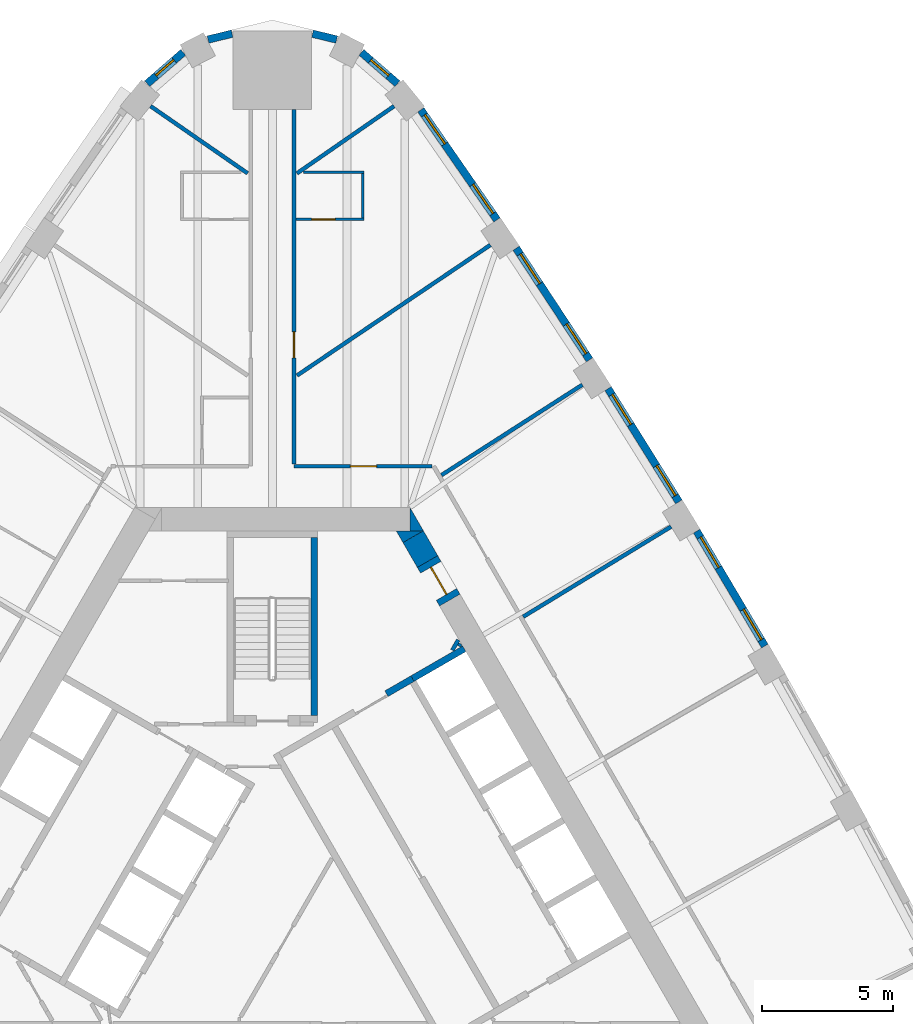
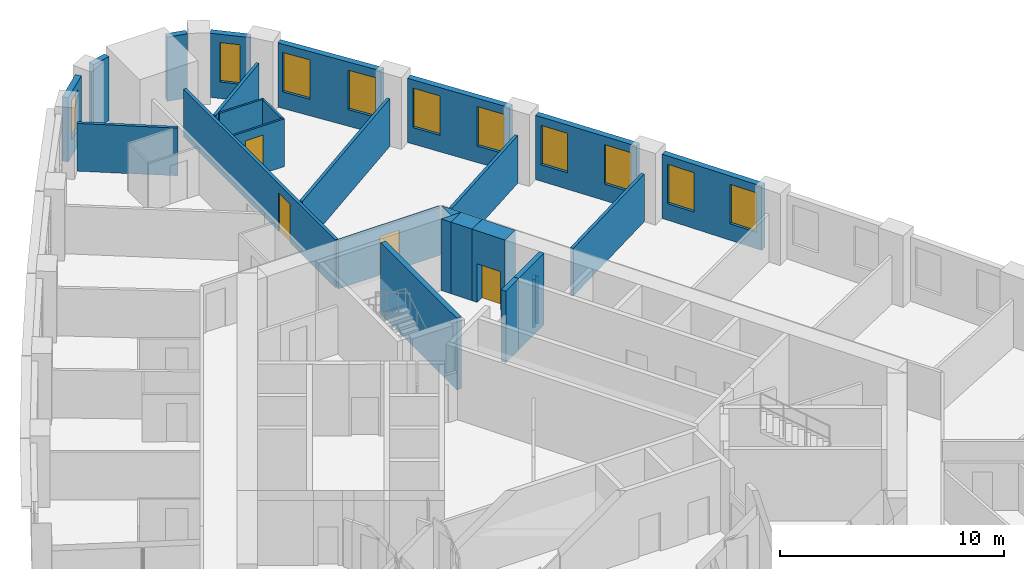
# One storey, part 10 of 12: 27 walls, 10 windows, 4 doors, 14 openings.
"""IFC4 building model written with IfcOpenShell, lengths in metres."""

from ifc_helpers import new_model, si_unit, direction, frame, frame_2d, origin, place, context, subcontext, project, spatial, polyline, rectangle, outline, extrude, material, layer, layer_set, type_object, element, fill, save


model = new_model("IFC4")

# Units and contexts
model_context = context("Model", 3, precision=1e-05, world=origin(), true_north=direction((0.0, 1.0)))
body_context = subcontext(model_context, "Body", "Model", "MODEL_VIEW")
ifc_project = project(units=[si_unit("LENGTHUNIT", "METRE"), si_unit("AREAUNIT", "SQUARE_METRE"), si_unit("VOLUMEUNIT", "CUBIC_METRE"), si_unit("PLANEANGLEUNIT", "RADIAN"), si_unit("MASSUNIT", "GRAM", prefix="KILO")], contexts=[model_context])

# Site, building, storey
site_placement = place(None, origin())
site = spatial("IfcSite", under=ifc_project, at=site_placement, CompositionType="ELEMENT")
building_placement = place(site_placement, origin())
building = spatial("IfcBuilding", under=site, at=building_placement, Name="Mestral Congress Tower", CompositionType="ELEMENT")
storey_placement = place(building_placement, frame((0.0, 0.0, 130.5)))
storey = spatial("IfcBuildingStorey", under=building, at=storey_placement, Name="L31", CompositionType="ELEMENT", Elevation=130.5)

# Walls
ifc_material_1 = material(Name="Fire-rated board partition")
ifc_layer_1 = layer(ifc_material_1, 0.14990234375)
ifc_layer_set_1 = layer_set([ifc_layer_1], Name="Fire-rated board partition")
wall_type_1 = type_object("IfcWallType", Name="Core partition 150", PredefinedType="PARTITIONING", material=ifc_layer_set_1)
wall_1_placement = place(storey_placement, frame((6.87158203125, 11.44970703125, 0.0), z_axis=(0.0, 0.0, 1.0), x_axis=(0.499846793097, 0.866113839764, 0.0)))
element("IfcWall", 1, at=wall_1_placement, inside=storey, type_object=wall_type_1, Name="L31 core wall", PredefinedType="PARTITIONING", context=body_context, shape_type="SweptSolid", body=[
    extrude(rectangle(XDim=0.453369140625, YDim=0.14990234375, at=frame_2d((0.2265625, 0.0))), origin(), (0.0, 0.0, 1.0), 2.60009765625),
])
wall_2_placement = place(storey_placement, frame((7.13134765625, 11.599609375, 0.0), z_axis=(0.0, 0.0, 1.0), x_axis=(0.498600033135, 0.866832167699, 0.0)))
element("IfcWall", 2, at=wall_2_placement, inside=storey, type_object=wall_type_1, Name="L31 core wall", PredefinedType="PARTITIONING", context=body_context, shape_type="SweptSolid", body=[
    extrude(rectangle(XDim=0.106689453125, YDim=0.14990234375, at=frame_2d((0.05322265625, 0.0))), origin(), (0.0, 0.0, 1.0), 2.60009765625),
])
ifc_material_2 = material(Name="Concrete C60/75", Category="concrete")
ifc_layer_2 = layer(ifc_material_2, 0.89990234375)
ifc_layer_set_2 = layer_set([ifc_layer_2], Name="Concrete C60/75")
wall_type_2 = type_object("IfcWallType", Name="Core wall RC 900", PredefinedType="SOLIDWALL", material=ifc_layer_set_2)
placement = place(storey_placement, origin())
element("IfcWall", 3, at=placement, inside=storey, type_object=wall_type_2, Name="L31 core wall", PredefinedType="SOLIDWALL", context=body_context, shape_type="SweptSolid", body=[
    extrude(outline(polyline([(5.265380859375, 16.0), (5.265380859375, 16.8798828125), (5.7734375, 16.0), (5.265380859375, 16.0)])), origin(), (0.0, 0.0, 1.0), 3.89990234375),
])
wall_4_placement = place(storey_placement, frame((5.92578125, 14.836181640625, 0.0), z_axis=(0.0, 0.0, 1.0), x_axis=(-0.500076735116, 0.865981096212, 0.0)))
element("IfcWall", 4, at=wall_4_placement, inside=storey, type_object=wall_type_2, Name="L31 core wall", PredefinedType="SOLIDWALL", context=body_context, shape_type="SweptSolid", body=[
    extrude(rectangle(XDim=1.093505859375, YDim=0.89990234375, at=frame_2d((0.546875, 0.0))), origin(), (0.0, 0.0, 1.0), 3.89990234375),
])
element("IfcWall", 5, at=placement, inside=storey, type_object=wall_type_2, Name="L31 core wall", PredefinedType="SOLIDWALL", context=body_context, shape_type="SweptSolid", body=[
    extrude(outline(polyline([(4.734375, 16.0), (5.750244140625, 16.0), (4.98828125, 15.56005859375), (4.734375, 16.0)])), origin(), (0.0, 0.0, 1.0), 3.89990234375),
])

# Wall, opening, door
wall_6_placement = place(storey_placement, frame((5.92578125, 14.836181640625, 0.0), z_axis=(0.0, 0.0, 1.0), x_axis=(0.500062241894, -0.865989465428, 0.0)))
wall_6 = element("IfcWall", 6, at=wall_6_placement, inside=storey, type_object=wall_type_2, Name="L31 door wall", PredefinedType="SOLIDWALL", context=body_context, shape_type="SweptSolid", body=[
    extrude(rectangle(XDim=1.699951171875, YDim=0.89990234375, at=frame_2d((0.85009765625, 0.0))), origin(), (0.0, 0.0, 1.0), 3.89990234375),
])
opening_1_placement = place(wall_6_placement, frame((0.25, 0.0, 0.0)))
opening_1 = element("IfcOpeningElement", 7, at=opening_1_placement, cuts=wall_6, Name="Opening XD2", PredefinedType="OPENING", context=body_context, shape_type="SweptSolid", body=[
    extrude(rectangle(XDim=1.199951171875, YDim=2.10009765625, at=frame_2d((0.60009765625, 1.050048828125))), frame((0.0, 0.4599609375, 0.0), z_axis=(0.0, -1.0, 0.0), x_axis=(1.0, 0.0, 0.0)), (0.0, 0.0, 1.0), 0.919921875),
])
ifc_material_3 = material(Name="Fire-rated steel door set", Category="steel")
door_type_1 = type_object("IfcDoorType", Name="Core door XD 1200x2100", OperationType="SINGLE_SWING_LEFT", PredefinedType="DOOR", material=ifc_material_3)
door_1_placement = place(opening_1_placement, origin())
door_1 = element("IfcDoor", 8, at=door_1_placement, inside=storey, type_object=door_type_1, Name="Door XD2", OperationType="SINGLE_SWING_LEFT", OverallHeight=2.10009765625, OverallWidth=1.199951171875, PredefinedType="DOOR", context=body_context, shape_type="SweptSolid", body=[
    extrude(rectangle(XDim=1.199951171875, YDim=2.10009765625, at=frame_2d((0.60009765625, 1.050048828125))), frame((0.0, 0.02490234375, 0.0), z_axis=(0.0, -1.0, 0.0), x_axis=(1.0, 0.0, 0.0)), (0.0, 0.0, 1.0), 0.050048828125),
])
fill(opening_1, door_1)

# Wall, openings, windows
ifc_material_4 = material(Name="Precast concrete C40/50 with limestone facing", Category="masonry")
ifc_layer_3 = layer(ifc_material_4, 0.2900390625)
ifc_layer_set_3 = layer_set([ifc_layer_3], Name="Precast concrete C40/50 with limestone facing")
wall_type_3 = type_object("IfcWallType", Name="Facade stone wall 290", PredefinedType="SOLIDWALL", material=ifc_layer_set_3)
wall_7_placement = place(storey_placement, frame((18.8046875, 11.611083984375, 0.0), z_axis=(0.0, 0.0, 1.0), x_axis=(-0.510054281659, 0.860142214847, 0.0)))
wall_7 = element("IfcWall", 9, at=wall_7_placement, inside=storey, type_object=wall_type_3, Name="Facade wall F1-04", PredefinedType="SOLIDWALL", context=body_context, shape_type="SweptSolid", body=[
    extrude(rectangle(XDim=5.1005859375, YDim=0.2900390625, at=frame_2d((2.55029296875, 0.0))), origin(), (0.0, 0.0, 1.0), 3.5),
])
opening_2_placement = place(wall_7_placement, frame((0.272705078125, 0.0, 0.89990234375)))
opening_2 = element("IfcOpeningElement", 10, at=opening_2_placement, cuts=wall_7, Name="Opening W2", PredefinedType="OPENING", context=body_context, shape_type="SweptSolid", body=[
    extrude(rectangle(XDim=1.35009765625, YDim=2.14990234375, at=frame_2d((0.675048828125, 1.074951171875))), frame((0.0, 0.155029296875, 0.0), z_axis=(0.0, -1.0, 0.0), x_axis=(1.0, 0.0, 0.0)), (0.0, 0.0, 1.0), 0.31005859375),
])
opening_3_placement = place(wall_7_placement, frame((3.477783203125, 0.0, 0.89990234375)))
opening_3 = element("IfcOpeningElement", 11, at=opening_3_placement, cuts=wall_7, Name="Opening W2", PredefinedType="OPENING", context=body_context, shape_type="SweptSolid", body=[
    extrude(rectangle(XDim=1.35009765625, YDim=2.14990234375, at=frame_2d((0.675048828125, 1.074951171875))), frame((0.0, 0.155029296875, 0.0), z_axis=(0.0, -1.0, 0.0), x_axis=(1.0, 0.0, 0.0)), (0.0, 0.0, 1.0), 0.31005859375),
])
ifc_material_5 = material(Name="Clear low-emissivity double glazing", Category="glass")
window_type_1 = type_object("IfcWindowType", Name="Facade punched window 1350 x 2150 sill 900", PartitioningType="DOUBLE_PANEL_VERTICAL", PredefinedType="WINDOW", material=ifc_material_5)
window_1_placement = place(opening_2_placement, origin())
window_1 = element("IfcWindow", 12, at=window_1_placement, inside=storey, type_object=window_type_1, Name="Window F1-04a", OverallHeight=2.14990234375, OverallWidth=1.35009765625, PartitioningType="DOUBLE_PANEL_VERTICAL", PredefinedType="WINDOW", context=body_context, shape_type="SweptSolid", body=[
    extrude(rectangle(XDim=1.35009765625, YDim=2.14990234375, at=frame_2d((0.675048828125, 1.074951171875))), frame((0.0, 0.01513671875, 0.0), z_axis=(0.0, -1.0, 0.0), x_axis=(1.0, 0.0, 0.0)), (0.0, 0.0, 1.0), 0.06005859375),
])
fill(opening_2, window_1)
window_2_placement = place(opening_3_placement, origin())
window_2 = element("IfcWindow", 13, at=window_2_placement, inside=storey, type_object=window_type_1, Name="Window F1-04b", OverallHeight=2.14990234375, OverallWidth=1.35009765625, PartitioningType="DOUBLE_PANEL_VERTICAL", PredefinedType="WINDOW", context=body_context, shape_type="SweptSolid", body=[
    extrude(rectangle(XDim=1.35009765625, YDim=2.14990234375, at=frame_2d((0.675048828125, 1.074951171875))), frame((0.0, 0.01513671875, 0.0), z_axis=(0.0, -1.0, 0.0), x_axis=(1.0, 0.0, 0.0)), (0.0, 0.0, 1.0), 0.06005859375),
])
fill(opening_3, window_2)

wall_8_placement = place(storey_placement, frame((15.523681640625, 17.114013671875, 0.0), z_axis=(0.0, 0.0, 1.0), x_axis=(-0.530072082134, 0.847952585787, 0.0)))
wall_8 = element("IfcWall", 14, at=wall_8_placement, inside=storey, type_object=wall_type_3, Name="Facade wall F1-05", PredefinedType="SOLIDWALL", context=body_context, shape_type="SweptSolid", body=[
    extrude(rectangle(XDim=5.100341796875, YDim=0.2900390625, at=frame_2d((2.55029296875, 0.0))), origin(), (0.0, 0.0, 1.0), 3.5),
])
opening_4_placement = place(wall_8_placement, frame((0.272705078125, 0.0, 0.89990234375)))
opening_4 = element("IfcOpeningElement", 15, at=opening_4_placement, cuts=wall_8, Name="Opening W2", PredefinedType="OPENING", context=body_context, shape_type="SweptSolid", body=[
    extrude(rectangle(XDim=1.35009765625, YDim=2.14990234375, at=frame_2d((0.675048828125, 1.074951171875))), frame((0.0, 0.155029296875, 0.0), z_axis=(0.0, -1.0, 0.0), x_axis=(1.0, 0.0, 0.0)), (0.0, 0.0, 1.0), 0.31005859375),
])
opening_5_placement = place(wall_8_placement, frame((3.477783203125, 0.0, 0.89990234375)))
opening_5 = element("IfcOpeningElement", 16, at=opening_5_placement, cuts=wall_8, Name="Opening W2", PredefinedType="OPENING", context=body_context, shape_type="SweptSolid", body=[
    extrude(rectangle(XDim=1.35009765625, YDim=2.14990234375, at=frame_2d((0.675048828125, 1.074951171875))), frame((0.0, 0.155029296875, 0.0), z_axis=(0.0, -1.0, 0.0), x_axis=(1.0, 0.0, 0.0)), (0.0, 0.0, 1.0), 0.31005859375),
])
window_3_placement = place(opening_4_placement, origin())
window_3 = element("IfcWindow", 17, at=window_3_placement, inside=storey, type_object=window_type_1, Name="Window F1-05a", OverallHeight=2.14990234375, OverallWidth=1.35009765625, PartitioningType="DOUBLE_PANEL_VERTICAL", PredefinedType="WINDOW", context=body_context, shape_type="SweptSolid", body=[
    extrude(rectangle(XDim=1.35009765625, YDim=2.14990234375, at=frame_2d((0.675048828125, 1.074951171875))), frame((0.0, 0.01513671875, 0.0), z_axis=(0.0, -1.0, 0.0), x_axis=(1.0, 0.0, 0.0)), (0.0, 0.0, 1.0), 0.06005859375),
])
fill(opening_4, window_3)
window_4_placement = place(opening_5_placement, origin())
window_4 = element("IfcWindow", 18, at=window_4_placement, inside=storey, type_object=window_type_1, Name="Window F1-05b", OverallHeight=2.14990234375, OverallWidth=1.35009765625, PartitioningType="DOUBLE_PANEL_VERTICAL", PredefinedType="WINDOW", context=body_context, shape_type="SweptSolid", body=[
    extrude(rectangle(XDim=1.35009765625, YDim=2.14990234375, at=frame_2d((0.675048828125, 1.074951171875))), frame((0.0, 0.01513671875, 0.0), z_axis=(0.0, -1.0, 0.0), x_axis=(1.0, 0.0, 0.0)), (0.0, 0.0, 1.0), 0.06005859375),
])
fill(opening_5, window_4)

wall_9_placement = place(storey_placement, frame((12.114501953125, 22.538818359375, 0.0), z_axis=(0.0, 0.0, 1.0), x_axis=(-0.549741341923, 0.835334937005, 0.0)))
wall_9 = element("IfcWall", 19, at=wall_9_placement, inside=storey, type_object=wall_type_3, Name="Facade wall F1-06", PredefinedType="SOLIDWALL", context=body_context, shape_type="SweptSolid", body=[
    extrude(rectangle(XDim=5.10009765625, YDim=0.2900390625, at=frame_2d((2.550048828125, 0.0))), origin(), (0.0, 0.0, 1.0), 3.5),
])
opening_6_placement = place(wall_9_placement, frame((0.272705078125, 0.0, 0.89990234375)))
opening_6 = element("IfcOpeningElement", 20, at=opening_6_placement, cuts=wall_9, Name="Opening W2", PredefinedType="OPENING", context=body_context, shape_type="SweptSolid", body=[
    extrude(rectangle(XDim=1.35009765625, YDim=2.14990234375, at=frame_2d((0.675048828125, 1.074951171875))), frame((0.0, 0.155029296875, 0.0), z_axis=(0.0, -1.0, 0.0), x_axis=(1.0, 0.0, 0.0)), (0.0, 0.0, 1.0), 0.31005859375),
])
opening_7_placement = place(wall_9_placement, frame((3.477783203125, 0.0, 0.89990234375)))
opening_7 = element("IfcOpeningElement", 21, at=opening_7_placement, cuts=wall_9, Name="Opening W2", PredefinedType="OPENING", context=body_context, shape_type="SweptSolid", body=[
    extrude(rectangle(XDim=1.35009765625, YDim=2.14990234375, at=frame_2d((0.675048828125, 1.074951171875))), frame((0.0, 0.155029296875, 0.0), z_axis=(0.0, -1.0, 0.0), x_axis=(1.0, 0.0, 0.0)), (0.0, 0.0, 1.0), 0.31005859375),
])
window_5_placement = place(opening_6_placement, origin())
window_5 = element("IfcWindow", 22, at=window_5_placement, inside=storey, type_object=window_type_1, Name="Window F1-06a", OverallHeight=2.14990234375, OverallWidth=1.35009765625, PartitioningType="DOUBLE_PANEL_VERTICAL", PredefinedType="WINDOW", context=body_context, shape_type="SweptSolid", body=[
    extrude(rectangle(XDim=1.35009765625, YDim=2.14990234375, at=frame_2d((0.675048828125, 1.074951171875))), frame((0.0, 0.01513671875, 0.0), z_axis=(0.0, -1.0, 0.0), x_axis=(1.0, 0.0, 0.0)), (0.0, 0.0, 1.0), 0.06005859375),
])
fill(opening_6, window_5)
window_6_placement = place(opening_7_placement, origin())
window_6 = element("IfcWindow", 23, at=window_6_placement, inside=storey, type_object=window_type_1, Name="Window F1-06b", OverallHeight=2.14990234375, OverallWidth=1.35009765625, PartitioningType="DOUBLE_PANEL_VERTICAL", PredefinedType="WINDOW", context=body_context, shape_type="SweptSolid", body=[
    extrude(rectangle(XDim=1.35009765625, YDim=2.14990234375, at=frame_2d((0.675048828125, 1.074951171875))), frame((0.0, 0.01513671875, 0.0), z_axis=(0.0, -1.0, 0.0), x_axis=(1.0, 0.0, 0.0)), (0.0, 0.0, 1.0), 0.06005859375),
])
fill(opening_7, window_6)

wall_10_placement = place(storey_placement, frame((8.57958984375, 27.882080078125, 0.0), z_axis=(0.0, 0.0, 1.0), x_axis=(-0.569113019126, 0.822259309136, 0.0)))
wall_10 = element("IfcWall", 24, at=wall_10_placement, inside=storey, type_object=wall_type_3, Name="Facade wall F1-07", PredefinedType="SOLIDWALL", context=body_context, shape_type="SweptSolid", body=[
    extrude(rectangle(XDim=5.106689453125, YDim=0.2900390625, at=frame_2d((2.55322265625, 0.0))), origin(), (0.0, 0.0, 1.0), 3.5),
])
opening_8_placement = place(wall_10_placement, frame((0.285400390625, 0.0, 0.89990234375)))
opening_8 = element("IfcOpeningElement", 25, at=opening_8_placement, cuts=wall_10, Name="Opening W2", PredefinedType="OPENING", context=body_context, shape_type="SweptSolid", body=[
    extrude(rectangle(XDim=1.35009765625, YDim=2.14990234375, at=frame_2d((0.675048828125, 1.074951171875))), frame((0.0, 0.155029296875, 0.0), z_axis=(0.0, -1.0, 0.0), x_axis=(1.0, 0.0, 0.0)), (0.0, 0.0, 1.0), 0.31005859375),
])
opening_9_placement = place(wall_10_placement, frame((3.516357421875, 0.0, 0.89990234375)))
opening_9 = element("IfcOpeningElement", 26, at=opening_9_placement, cuts=wall_10, Name="Opening W2", PredefinedType="OPENING", context=body_context, shape_type="SweptSolid", body=[
    extrude(rectangle(XDim=1.35009765625, YDim=2.14990234375, at=frame_2d((0.675048828125, 1.074951171875))), frame((0.0, 0.155029296875, 0.0), z_axis=(0.0, -1.0, 0.0), x_axis=(1.0, 0.0, 0.0)), (0.0, 0.0, 1.0), 0.31005859375),
])
window_7_placement = place(opening_8_placement, origin())
window_7 = element("IfcWindow", 27, at=window_7_placement, inside=storey, type_object=window_type_1, Name="Window F1-07a", OverallHeight=2.14990234375, OverallWidth=1.35009765625, PartitioningType="DOUBLE_PANEL_VERTICAL", PredefinedType="WINDOW", context=body_context, shape_type="SweptSolid", body=[
    extrude(rectangle(XDim=1.35009765625, YDim=2.14990234375, at=frame_2d((0.675048828125, 1.074951171875))), frame((0.0, 0.01513671875, 0.0), z_axis=(0.0, -1.0, 0.0), x_axis=(1.0, 0.0, 0.0)), (0.0, 0.0, 1.0), 0.06005859375),
])
fill(opening_8, window_7)
window_8_placement = place(opening_9_placement, origin())
window_8 = element("IfcWindow", 28, at=window_8_placement, inside=storey, type_object=window_type_1, Name="Window F1-07b", OverallHeight=2.14990234375, OverallWidth=1.35009765625, PartitioningType="DOUBLE_PANEL_VERTICAL", PredefinedType="WINDOW", context=body_context, shape_type="SweptSolid", body=[
    extrude(rectangle(XDim=1.35009765625, YDim=2.14990234375, at=frame_2d((0.675048828125, 1.074951171875))), frame((0.0, 0.01513671875, 0.0), z_axis=(0.0, -1.0, 0.0), x_axis=(1.0, 0.0, 0.0)), (0.0, 0.0, 1.0), 0.06005859375),
])
fill(opening_9, window_8)

# Wall, opening, window
wall_11_placement = place(storey_placement, frame((4.778076171875, 33.08203125, 0.0), z_axis=(0.0, 0.0, 1.0), x_axis=(-0.754882764627, 0.655859749999, 0.0)))
wall_11 = element("IfcWall", 29, at=wall_11_placement, inside=storey, type_object=wall_type_3, Name="Facade wall K1-0", PredefinedType="SOLIDWALL", context=body_context, shape_type="SweptSolid", body=[
    extrude(rectangle(XDim=1.819580078125, YDim=0.2900390625, at=frame_2d((0.90966796875, 0.0))), origin(), (0.0, 0.0, 1.0), 3.5),
])
opening_10_placement = place(wall_11_placement, frame((0.459716796875, 0.0, 0.89990234375)))
opening_10 = element("IfcOpeningElement", 30, at=opening_10_placement, cuts=wall_11, Name="Opening W3", PredefinedType="OPENING", context=body_context, shape_type="SweptSolid", body=[
    extrude(rectangle(XDim=0.89990234375, YDim=2.14990234375, at=frame_2d((0.449951171875, 1.074951171875))), frame((0.0, 0.155029296875, 0.0), z_axis=(0.0, -1.0, 0.0), x_axis=(1.0, 0.0, 0.0)), (0.0, 0.0, 1.0), 0.31005859375),
])
window_type_2 = type_object("IfcWindowType", Name="Facade punched window 900 x 2150 sill 900", PartitioningType="SINGLE_PANEL", PredefinedType="WINDOW", material=ifc_material_5)
window_9_placement = place(opening_10_placement, origin())
window_9 = element("IfcWindow", 31, at=window_9_placement, inside=storey, type_object=window_type_2, Name="Window K1-0", OverallHeight=2.14990234375, OverallWidth=0.89990234375, PartitioningType="SINGLE_PANEL", PredefinedType="WINDOW", context=body_context, shape_type="SweptSolid", body=[
    extrude(rectangle(XDim=0.89990234375, YDim=2.14990234375, at=frame_2d((0.449951171875, 1.074951171875))), frame((0.0, 0.01513671875, 0.0), z_axis=(0.0, -1.0, 0.0), x_axis=(1.0, 0.0, 0.0)), (0.0, 0.0, 1.0), 0.06005859375),
])
fill(opening_10, window_9)

# Walls
for number, where, z_axis, x_axis, name in (
    (32, (2.455322265625, 34.765625, 0.0), (0.0, 0.0, 1.0), (-0.971713991574, 0.236160789674, 0.0), "Facade wall K1-1"),
    (33, (-1.53515625, 34.9892578125, 0.0), (0.0, 0.0, 1.0), (-0.971713991574, -0.236160789674, 0.0), "Facade wall K1-2"),
):
    element("IfcWall", number, at=place(storey_placement, frame(where, z_axis=z_axis, x_axis=x_axis)), inside=storey, type_object=wall_type_3, Name=name, PredefinedType="SOLIDWALL", context=body_context, shape_type="SweptSolid", body=[
        extrude(rectangle(XDim=0.947021484375, YDim=0.2900390625, at=frame_2d((0.4736328125, 0.0))), origin(), (0.0, 0.0, 1.0), 3.5),
    ])

# Wall, opening, window
wall_12_placement = place(storey_placement, frame((-3.404541015625, 34.275390625, 0.0), z_axis=(0.0, 0.0, 1.0), x_axis=(-0.754882764627, -0.655859749999, 0.0)))
wall_12 = element("IfcWall", 34, at=wall_12_placement, inside=storey, type_object=wall_type_3, Name="Facade wall K1-3", PredefinedType="SOLIDWALL", context=body_context, shape_type="SweptSolid", body=[
    extrude(rectangle(XDim=1.819580078125, YDim=0.2900390625, at=frame_2d((0.90966796875, 0.0))), origin(), (0.0, 0.0, 1.0), 3.5),
])
opening_11_placement = place(wall_12_placement, frame((0.459716796875, 0.0, 0.89990234375)))
opening_11 = element("IfcOpeningElement", 35, at=opening_11_placement, cuts=wall_12, Name="Opening W3", PredefinedType="OPENING", context=body_context, shape_type="SweptSolid", body=[
    extrude(rectangle(XDim=0.89990234375, YDim=2.14990234375, at=frame_2d((0.449951171875, 1.074951171875))), frame((0.0, 0.155029296875, 0.0), z_axis=(0.0, -1.0, 0.0), x_axis=(1.0, 0.0, 0.0)), (0.0, 0.0, 1.0), 0.31005859375),
])
window_10_placement = place(opening_11_placement, origin())
window_10 = element("IfcWindow", 36, at=window_10_placement, inside=storey, type_object=window_type_2, Name="Window K1-3", OverallHeight=2.14990234375, OverallWidth=0.89990234375, PartitioningType="SINGLE_PANEL", PredefinedType="WINDOW", context=body_context, shape_type="SweptSolid", body=[
    extrude(rectangle(XDim=0.89990234375, YDim=2.14990234375, at=frame_2d((0.449951171875, 1.074951171875))), frame((0.0, 0.01513671875, 0.0), z_axis=(0.0, -1.0, 0.0), x_axis=(1.0, 0.0, 0.0)), (0.0, 0.0, 1.0), 0.06005859375),
])
fill(opening_11, window_10)

# Wall, opening, door
ifc_material_6 = material(Name="Gypsum board partition on metal studs with mineral wool", Category="composite")
ifc_layer_4 = layer(ifc_material_6, 0.10009765625)
ifc_layer_set_4 = layer_set([ifc_layer_4], Name="Gypsum board partition on metal studs with mineral wool")
wall_type_4 = type_object("IfcWallType", Name="Hotel partition wall 100", PredefinedType="PARTITIONING", material=ifc_layer_set_4)
wall_13_placement = place(storey_placement, frame((0.89990234375, 27.89794921875, 0.0), z_axis=(0.0, 0.0, 1.0), x_axis=(1.0, 0.0, 0.0)))
wall_13 = element("IfcWall", 37, at=wall_13_placement, inside=storey, type_object=wall_type_4, Name="L31-h-pod15a", PredefinedType="PARTITIONING", context=body_context, shape_type="SweptSolid", body=[
    extrude(rectangle(XDim=2.60009765625, YDim=0.10009765625, at=frame_2d((1.300048828125, 0.0))), origin(), (0.0, 0.0, 1.0), 2.60009765625),
])
opening_12_placement = place(wall_13_placement, frame((0.60009765625, 0.0, 0.0)))
opening_12 = element("IfcOpeningElement", 38, at=opening_12_placement, cuts=wall_13, Name="Opening H10-017", PredefinedType="OPENING", context=body_context, shape_type="SweptSolid", body=[
    extrude(rectangle(XDim=0.89990234375, YDim=2.10009765625, at=frame_2d((0.449951171875, 1.050048828125))), frame((0.0, 0.06005859375, 0.0), z_axis=(0.0, -1.0, 0.0), x_axis=(1.0, 0.0, 0.0)), (0.0, 0.0, 1.0), 0.1201171875),
])
ifc_material_7 = material(Name="Timber veneer door leaf in timber frame", Category="wood")
door_type_2 = type_object("IfcDoorType", Name="Bathroom door 900", OperationType="SINGLE_SWING_LEFT", PredefinedType="DOOR", material=ifc_material_7)
door_2_placement = place(opening_12_placement, origin())
door_2 = element("IfcDoor", 39, at=door_2_placement, inside=storey, type_object=door_type_2, Name="L31-h-d017", OperationType="SINGLE_SWING_RIGHT", OverallHeight=2.10009765625, OverallWidth=0.89990234375, PredefinedType="DOOR", context=body_context, shape_type="SweptSolid", body=[
    extrude(rectangle(XDim=0.89990234375, YDim=2.10009765625, at=frame_2d((0.449951171875, 1.050048828125))), frame((0.0, 0.02490234375, 0.0), z_axis=(0.0, -1.0, 0.0), x_axis=(1.0, 0.0, 0.0)), (0.0, 0.0, 1.0), 0.050048828125),
])
fill(opening_12, door_2)

# Walls
wall_14_placement = place(storey_placement, frame((3.449951171875, 27.947998046875, 0.0), z_axis=(0.0, 0.0, 1.0), x_axis=(0.0, 1.0, 0.0)))
element("IfcWall", 40, at=wall_14_placement, inside=storey, type_object=wall_type_4, Name="L31-h-pod15b", PredefinedType="PARTITIONING", context=body_context, shape_type="SweptSolid", body=[
    extrude(rectangle(XDim=1.699951171875, YDim=0.10009765625, at=frame_2d((0.85009765625, 0.0))), origin(), (0.0, 0.0, 1.0), 2.60009765625),
])
wall_15_placement = place(storey_placement, frame((1.199951171875, 29.697998046875, 0.0), z_axis=(0.0, 0.0, 1.0), x_axis=(1.0, 0.0, 0.0)))
element("IfcWall", 41, at=wall_15_placement, inside=storey, type_object=wall_type_4, Name="L31-h-pod15c", PredefinedType="PARTITIONING", context=body_context, shape_type="SweptSolid", body=[
    extrude(rectangle(XDim=2.300048828125, YDim=0.10009765625, at=frame_2d((1.14990234375, 0.0))), origin(), (0.0, 0.0, 1.0), 2.60009765625),
])

# Wall, opening, door
ifc_layer_5 = layer(ifc_material_6, 0.14990234375)
ifc_layer_set_5 = layer_set([ifc_layer_5], Name="Gypsum board partition on metal studs with mineral wool")
wall_type_5 = type_object("IfcWallType", Name="Hotel partition wall 150", PredefinedType="PARTITIONING", material=ifc_layer_set_5)
wall_16_placement = place(storey_placement, frame((0.824951171875, 18.47509765625, 0.0), z_axis=(0.0, 0.0, 1.0), x_axis=(1.0, 0.0, 0.0)))
wall_16 = element("IfcWall", 42, at=wall_16_placement, inside=storey, type_object=wall_type_5, Name="L31-h-cw04", PredefinedType="PARTITIONING", context=body_context, shape_type="SweptSolid", body=[
    extrude(rectangle(XDim=5.268310546875, YDim=0.14990234375, at=frame_2d((2.63427734375, 0.0))), origin(), (0.0, 0.0, 1.0), 2.60009765625),
])
opening_13_placement = place(wall_16_placement, frame((2.156982421875, 0.0, 0.0)))
opening_13 = element("IfcOpeningElement", 43, at=opening_13_placement, cuts=wall_16, Name="Opening H10-015", PredefinedType="OPENING", context=body_context, shape_type="SweptSolid", body=[
    extrude(rectangle(XDim=1.0, YDim=2.10009765625, at=frame_2d((0.5, 1.050048828125))), frame((0.0, 0.0849609375, 0.0), z_axis=(0.0, -1.0, 0.0), x_axis=(1.0, 0.0, 0.0)), (0.0, 0.0, 1.0), 0.169921875),
])
ifc_material_8 = material(Name="Timber veneer door leaf in metal frame", Category="wood")
door_type_3 = type_object("IfcDoorType", Name="Guest room entrance door 1000", OperationType="SINGLE_SWING_LEFT", PredefinedType="DOOR", material=ifc_material_8)
door_3_placement = place(opening_13_placement, origin())
door_3 = element("IfcDoor", 44, at=door_3_placement, inside=storey, type_object=door_type_3, Name="L31-h-d015", OperationType="SINGLE_SWING_RIGHT", OverallHeight=2.10009765625, OverallWidth=1.0, PredefinedType="DOOR", context=body_context, shape_type="SweptSolid", body=[
    extrude(rectangle(XDim=1.0, YDim=2.10009765625, at=frame_2d((0.5, 1.050048828125))), frame((0.0, 0.02490234375, 0.0), z_axis=(0.0, -1.0, 0.0), x_axis=(1.0, 0.0, 0.0)), (0.0, 0.0, 1.0), 0.050048828125),
])
fill(opening_13, door_3)

wall_17_placement = place(storey_placement, frame((0.824951171875, 32.098388671875, 0.0), z_axis=(0.0, 0.0, 1.0), x_axis=(0.0, -1.0, 0.0)))
wall_17 = element("IfcWall", 45, at=wall_17_placement, inside=storey, type_object=wall_type_5, Name="L31-h-cw05", PredefinedType="PARTITIONING", context=body_context, shape_type="SweptSolid", body=[
    extrude(rectangle(XDim=13.54345703125, YDim=0.14990234375, at=frame_2d((6.771728515625, 0.0))), origin(), (0.0, 0.0, 1.0), 2.60009765625),
])
opening_14_placement = place(wall_17_placement, frame((8.490234375, 0.0, 0.0)))
opening_14 = element("IfcOpeningElement", 46, at=opening_14_placement, cuts=wall_17, Name="Opening H10-016", PredefinedType="OPENING", context=body_context, shape_type="SweptSolid", body=[
    extrude(rectangle(XDim=1.0, YDim=2.10009765625, at=frame_2d((0.5, 1.050048828125))), frame((0.0, 0.0849609375, 0.0), z_axis=(0.0, -1.0, 0.0), x_axis=(1.0, 0.0, 0.0)), (0.0, 0.0, 1.0), 0.169921875),
])
door_4_placement = place(opening_14_placement, origin())
door_4 = element("IfcDoor", 47, at=door_4_placement, inside=storey, type_object=door_type_3, Name="L31-h-d016", OperationType="SINGLE_SWING_RIGHT", OverallHeight=2.10009765625, OverallWidth=1.0, PredefinedType="DOOR", context=body_context, shape_type="SweptSolid", body=[
    extrude(rectangle(XDim=1.0, YDim=2.10009765625, at=frame_2d((0.5, 1.050048828125))), frame((0.0, 0.02490234375, 0.0), z_axis=(0.0, -1.0, 0.0), x_axis=(1.0, 0.0, 0.0)), (0.0, 0.0, 1.0), 0.050048828125),
])
fill(opening_14, door_4)

# Walls
wall_18_placement = place(storey_placement, frame((-4.649169921875, 32.223388671875, 0.0), z_axis=(0.0, 0.0, 1.0), x_axis=(0.822262349475, -0.569108626394, 0.0)))
element("IfcWall", 48, at=wall_18_placement, inside=storey, type_object=wall_type_5, Name="L31-h-pw11", PredefinedType="PARTITIONING", context=body_context, shape_type="SweptSolid", body=[
    extrude(rectangle(XDim=4.509521484375, YDim=0.14990234375, at=frame_2d((2.2548828125, 0.0))), origin(), (0.0, 0.0, 1.0), 2.60009765625),
])
wall_19_placement = place(storey_placement, frame((8.32568359375, 26.922607421875, 0.0), z_axis=(0.0, 0.0, 1.0), x_axis=(-0.828836601893, -0.5594907393, 0.0)))
element("IfcWall", 49, at=wall_19_placement, inside=storey, type_object=wall_type_5, Name="L31-h-pw12", PredefinedType="PARTITIONING", context=body_context, shape_type="SweptSolid", body=[
    extrude(rectangle(XDim=8.9091796875, YDim=0.14990234375, at=frame_2d((4.45458984375, 0.0))), origin(), (0.0, 0.0, 1.0), 2.60009765625),
])
wall_20_placement = place(storey_placement, frame((4.649169921875, 32.223388671875, 0.0), z_axis=(0.0, 0.0, 1.0), x_axis=(-0.822262349475, -0.569108626394, 0.0)))
element("IfcWall", 50, at=wall_20_placement, inside=storey, type_object=wall_type_5, Name="L31-h-pw14", PredefinedType="PARTITIONING", context=body_context, shape_type="SweptSolid", body=[
    extrude(rectangle(XDim=4.509521484375, YDim=0.14990234375, at=frame_2d((2.2548828125, 0.0))), origin(), (0.0, 0.0, 1.0), 2.60009765625),
])
wall_21_placement = place(storey_placement, frame((11.838134765625, 21.585205078125, 0.0), z_axis=(0.0, 0.0, 1.0), x_axis=(-0.841699322813, -0.539946525108, 0.0)))
element("IfcWall", 51, at=wall_21_placement, inside=storey, type_object=wall_type_5, Name="L31-h-pw15", PredefinedType="PARTITIONING", context=body_context, shape_type="SweptSolid", body=[
    extrude(rectangle(XDim=6.3916015625, YDim=0.14990234375, at=frame_2d((3.19580078125, 0.0))), origin(), (0.0, 0.0, 1.0), 2.60009765625),
])
wall_22_placement = place(storey_placement, frame((15.22509765625, 16.16748046875, 0.0), z_axis=(0.0, 0.0, 1.0), x_axis=(-0.854088713274, -0.520127359266, 0.0)))
element("IfcWall", 52, at=wall_22_placement, inside=storey, type_object=wall_type_5, Name="L31-h-pw16", PredefinedType="PARTITIONING", context=body_context, shape_type="SweptSolid", body=[
    extrude(rectangle(XDim=6.61083984375, YDim=0.14990234375, at=frame_2d((3.305419921875, 0.0))), origin(), (0.0, 0.0, 1.0), 2.60009765625),
])
ifc_layer_6 = layer(ifc_material_2, 0.25)
ifc_layer_set_6 = layer_set([ifc_layer_6], Name="Concrete C60/75")
wall_type_6 = type_object("IfcWallType", Name="Shaft wall RC 250", PredefinedType="SOLIDWALL", material=ifc_layer_set_6)
wall_23_placement = place(storey_placement, frame((4.3583984375, 9.791015625, 0.0), z_axis=(0.0, 0.0, 1.0), x_axis=(0.866079547155, 0.499906209203, 0.0)))
element("IfcWall", 53, at=wall_23_placement, inside=storey, type_object=wall_type_6, Name="L31 core wall", PredefinedType="SOLIDWALL", context=body_context, shape_type="SweptSolid", body=[
    extrude(rectangle(XDim=1.150146484375, YDim=0.25, at=frame_2d((0.5751953125, 0.0))), origin(), (0.0, 0.0, 1.0), 3.89990234375),
])
wall_24_placement = place(storey_placement, frame((5.356201171875, 10.366943359375, 0.0), z_axis=(0.0, 0.0, 1.0), x_axis=(0.865978535641, 0.50008116922, 0.0)))
element("IfcWall", 54, at=wall_24_placement, inside=storey, type_object=wall_type_6, Name="L31 core wall", PredefinedType="SOLIDWALL", context=body_context, shape_type="SweptSolid", body=[
    extrude(rectangle(XDim=2.27783203125, YDim=0.25, at=frame_2d((1.138916015625, 0.0))), origin(), (0.0, 0.0, 1.0), 3.89990234375),
])
ifc_layer_7 = layer(ifc_material_2, 0.25)
ifc_layer_set_7 = layer_set([ifc_layer_7], Name="Concrete C60/75")
wall_type_7 = type_object("IfcWallType", Name="Stair wall RC 250", PredefinedType="SOLIDWALL", material=ifc_layer_set_7)
wall_25_placement = place(storey_placement, frame((1.60009765625, 8.949951171875, 0.0), z_axis=(0.0, 0.0, 1.0), x_axis=(0.0, 1.0, 0.0)))
element("IfcWall", 55, at=wall_25_placement, inside=storey, type_object=wall_type_7, Name="L31 core wall", PredefinedType="SOLIDWALL", context=body_context, shape_type="SweptSolid", body=[
    extrude(rectangle(XDim=6.800048828125, YDim=0.25, at=frame_2d((3.39990234375, 0.0))), origin(), (0.0, 0.0, 1.0), 3.89990234375),
])

save(model, "model.ifc")
